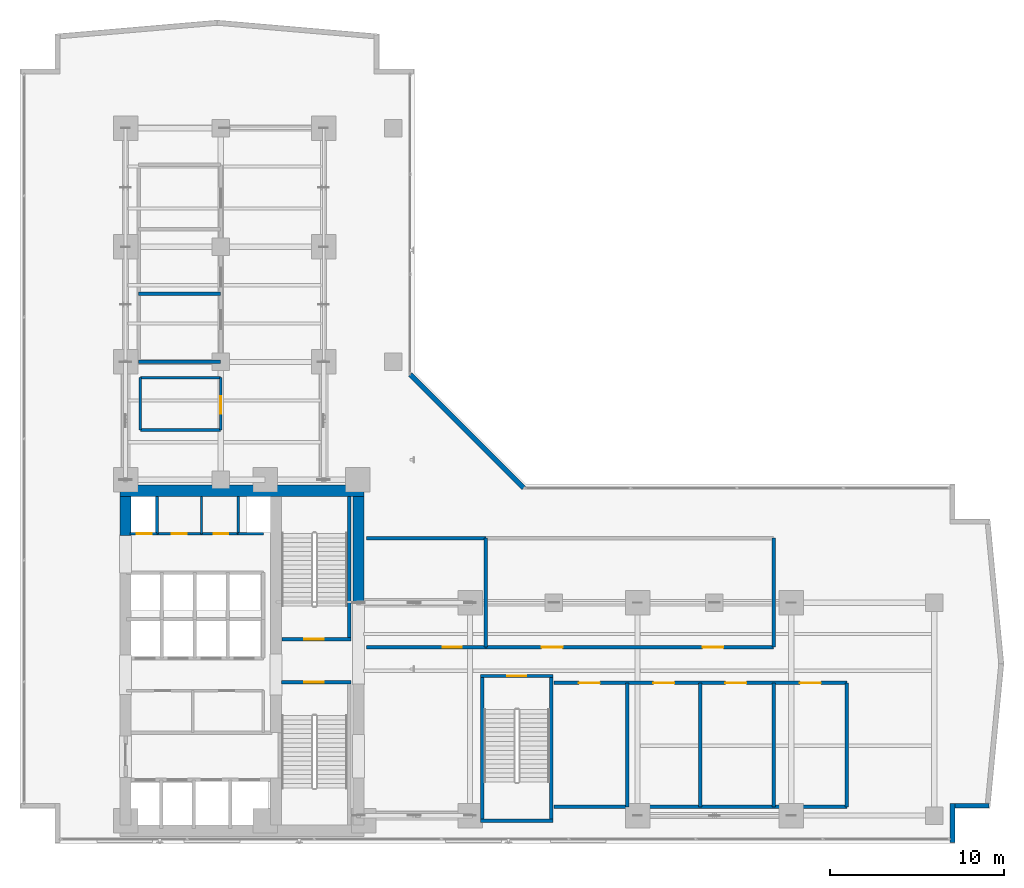
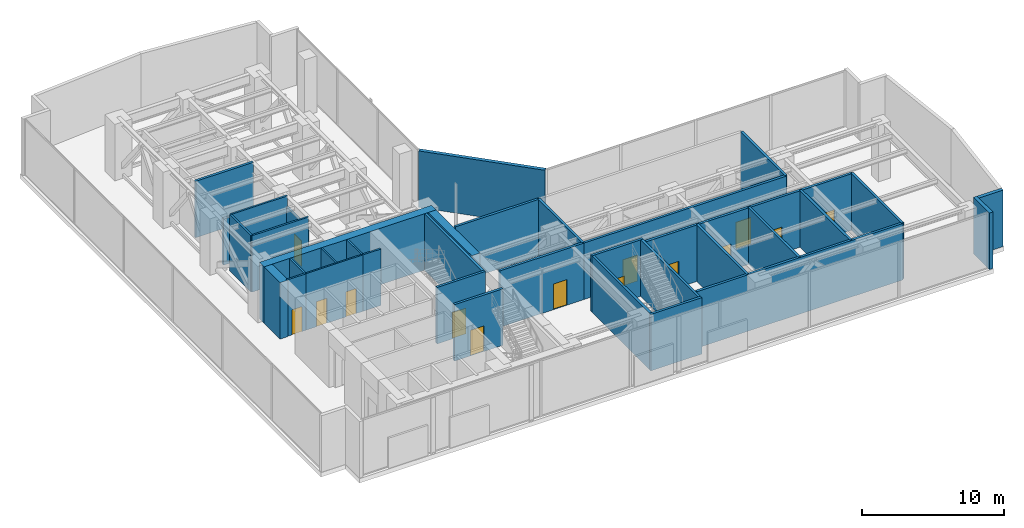
# One storey, part 32 of 37: 36 walls, 14 doors, 14 openings.
"""IFC4 building model written with IfcOpenShell, lengths in metres."""

from ifc_helpers import new_model, si_unit, direction, frame, frame_2d, origin, place, context, subcontext, project, spatial, rectangle, extrude, material, layer, layer_set, type_object, element, fill, save


model = new_model("IFC4")

# Units and contexts
model_context = context("Model", 3, precision=1e-05, world=origin(), true_north=direction((0.0, 1.0)))
body_context = subcontext(model_context, "Body", "Model", "MODEL_VIEW")
ifc_project = project(units=[si_unit("LENGTHUNIT", "METRE"), si_unit("AREAUNIT", "SQUARE_METRE"), si_unit("VOLUMEUNIT", "CUBIC_METRE"), si_unit("PLANEANGLEUNIT", "RADIAN"), si_unit("MASSUNIT", "GRAM", prefix="KILO")], contexts=[model_context])

# Site, building, storey
site_placement = place(None, origin())
site = spatial("IfcSite", under=ifc_project, at=site_placement, CompositionType="ELEMENT")
building_placement = place(site_placement, origin())
building = spatial("IfcBuilding", under=site, at=building_placement, Name="Kolvaren Waterfront Exchange", CompositionType="ELEMENT")
storey_placement = place(building_placement, frame((0.0, 0.0, 141.10009765625)))
storey = spatial("IfcBuildingStorey", under=building, at=storey_placement, Name="L36", CompositionType="ELEMENT", Elevation=141.10009765625)

# Walls
ifc_material_1 = material(Name="Precast concrete C40/50", Category="concrete")
ifc_layer_1 = layer(ifc_material_1, 0.280029296875, Name="Precast concrete C40/50")
ifc_layer_set_1 = layer_set([ifc_layer_1], Name="Precast concrete C40/50")
wall_type_1 = type_object("IfcWallType", Name="ARC-EXT-TERR-280", PredefinedType="SOLIDWALL", material=ifc_layer_set_1)
wall_1_placement = place(storey_placement, frame((54.840087890625, 3.659912109375, 0.0), z_axis=(0.0, 0.0, 1.0), x_axis=(0.0, 1.0, 0.0)))
element("IfcWall", 1, at=wall_1_placement, inside=storey, type_object=wall_type_1, Name="L36 notched corner spandrel pier SE-A", PredefinedType="SOLIDWALL", context=body_context, shape_type="SweptSolid", body=[
    extrude(rectangle(XDim=2.239990234375, YDim=0.280029296875, at=frame_2d((1.1201171875, 0.0))), origin(), (0.0, 0.0, 1.0), 4.85986328125),
])
wall_2_placement = place(storey_placement, frame((54.97998046875, 5.760009765625, 0.0), z_axis=(0.0, 0.0, 1.0), x_axis=(1.0, 0.0, 0.0)))
element("IfcWall", 2, at=wall_2_placement, inside=storey, type_object=wall_type_1, Name="L36 notched corner spandrel pier SE-B", PredefinedType="SOLIDWALL", context=body_context, shape_type="SweptSolid", body=[
    extrude(rectangle(XDim=1.9599609375, YDim=0.280029296875, at=frame_2d((0.97998046875, 0.0))), origin(), (0.0, 0.0, 1.0), 4.85986328125),
])
wall_3_placement = place(storey_placement, frame((30.284912109375, 23.97509765625, 0.0), z_axis=(0.0, 0.0, 1.0), x_axis=(-0.707106781187, 0.707106781187, 0.0)))
element("IfcWall", 3, at=wall_3_placement, inside=storey, type_object=wall_type_1, Name="L36 notched corner spandrel pier ELBOW", PredefinedType="SOLIDWALL", context=body_context, shape_type="SweptSolid", body=[
    extrude(rectangle(XDim=9.20654296875, YDim=0.280029296875, at=frame_2d((4.603271484375, 0.0))), origin(), (0.0, 0.0, 1.0), 4.85986328125),
])

# Wall, opening, door
ifc_layer_2 = layer(ifc_material_1, 0.199951171875, Name="Precast concrete C40/50")
ifc_layer_set_2 = layer_set([ifc_layer_2], Name="Precast concrete C40/50")
wall_type_2 = type_object("IfcWallType", Name="ARC-FIRE-200", PredefinedType="PARTITIONING", material=ifc_layer_set_2)
wall_4_placement = place(storey_placement, frame((16.39990234375, 12.85009765625, 0.0), z_axis=(0.0, 0.0, 1.0), x_axis=(1.0, 0.0, 0.0)))
wall_4 = element("IfcWall", 4, at=wall_4_placement, inside=storey, type_object=wall_type_2, Name="L36 interior wall PW-L36-ST1-THROAT-S", PredefinedType="PARTITIONING", context=body_context, shape_type="SweptSolid", body=[
    extrude(rectangle(XDim=3.960205078125, YDim=0.199951171875, at=frame_2d((1.97998046875, 0.0))), origin(), (0.0, 0.0, 1.0), 4.85986328125),
])
opening_1_placement = place(wall_4_placement, frame((1.3037109375, 0.0, 0.0)))
opening_1 = element("IfcOpeningElement", 5, at=opening_1_placement, cuts=wall_4, Name="Opening FD2", PredefinedType="OPENING", context=body_context, shape_type="SweptSolid", body=[
    extrude(rectangle(XDim=1.10009765625, YDim=2.199951171875, at=frame_2d((0.550048828125, 1.10009765625))), frame((0.0, 0.10986328125, 0.0), z_axis=(0.0, -1.0, 0.0), x_axis=(1.0, 0.0, 0.0)), (0.0, 0.0, 1.0), 0.219970703125),
])
ifc_material_2 = material(Name="Pressed steel smoke-seal fire door", Category="steel")
door_type_1 = type_object("IfcDoorType", Name="ARC-FD-1100", OperationType="NOTDEFINED", PredefinedType="DOOR", material=ifc_material_2)
door_1_placement = place(opening_1_placement, frame((1.10009765625, 0.0, 0.0), z_axis=(0.0, 0.0, 1.0), x_axis=(-1.0, 0.0, 0.0)))
door_1 = element("IfcDoor", 6, at=door_1_placement, inside=storey, type_object=door_type_1, Name="L36 door DR-L36-ST1-IN (FD2)", OperationType="SINGLE_SWING_LEFT", OverallHeight=2.199951171875, OverallWidth=1.10009765625, PredefinedType="DOOR", context=body_context, shape_type="SweptSolid", body=[
    extrude(rectangle(XDim=1.10009765625, YDim=2.199951171875, at=frame_2d((0.550048828125, 1.10009765625))), frame((0.0, 0.02490234375, 0.0), z_axis=(0.0, -1.0, 0.0), x_axis=(1.0, 0.0, 0.0)), (0.0, 0.0, 1.0), 0.050048828125),
])
fill(opening_1, door_1)

wall_5_placement = place(storey_placement, frame((16.409912109375, 15.300048828125, 0.0), z_axis=(0.0, 0.0, 1.0), x_axis=(1.0, 0.0, 0.0)))
wall_5 = element("IfcWall", 7, at=wall_5_placement, inside=storey, type_object=wall_type_2, Name="L36 interior wall PW-L36-ST2-THROAT-N", PredefinedType="PARTITIONING", context=body_context, shape_type="SweptSolid", body=[
    extrude(rectangle(XDim=3.9501953125, YDim=0.199951171875, at=frame_2d((1.97509765625, 0.0))), origin(), (0.0, 0.0, 1.0), 4.85986328125),
])
opening_2_placement = place(wall_5_placement, frame((1.293701171875, 0.0, 0.0)))
opening_2 = element("IfcOpeningElement", 8, at=opening_2_placement, cuts=wall_5, Name="Opening FD2", PredefinedType="OPENING", context=body_context, shape_type="SweptSolid", body=[
    extrude(rectangle(XDim=1.10009765625, YDim=2.199951171875, at=frame_2d((0.550048828125, 1.10009765625))), frame((0.0, 0.10986328125, 0.0), z_axis=(0.0, -1.0, 0.0), x_axis=(1.0, 0.0, 0.0)), (0.0, 0.0, 1.0), 0.219970703125),
])
door_2_placement = place(opening_2_placement, origin())
door_2 = element("IfcDoor", 9, at=door_2_placement, inside=storey, type_object=door_type_1, Name="L36 door DR-L36-ST2-IN (FD2)", OperationType="SINGLE_SWING_RIGHT", OverallHeight=2.199951171875, OverallWidth=1.10009765625, PredefinedType="DOOR", context=body_context, shape_type="SweptSolid", body=[
    extrude(rectangle(XDim=1.10009765625, YDim=2.199951171875, at=frame_2d((0.550048828125, 1.10009765625))), frame((0.0, 0.02490234375, 0.0), z_axis=(0.0, -1.0, 0.0), x_axis=(1.0, 0.0, 0.0)), (0.0, 0.0, 1.0), 0.050048828125),
])
fill(opening_2, door_2)

# Wall, openings, doors
wall_6_placement = place(storey_placement, frame((28.10009765625, 14.85009765625, 0.0), z_axis=(0.0, 0.0, 1.0), x_axis=(1.0, 0.0, 0.0)))
wall_6 = element("IfcWall", 10, at=wall_6_placement, inside=storey, type_object=wall_type_2, Name="L36 interior wall PW-L36-REF-S", PredefinedType="PARTITIONING", context=body_context, shape_type="SweptSolid", body=[
    extrude(rectangle(XDim=16.5, YDim=0.199951171875, at=frame_2d((8.25, 0.0))), origin(), (0.0, 0.0, 1.0), 4.85986328125),
])
opening_3_placement = place(wall_6_placement, frame((3.199951171875, 0.0, 0.0)))
opening_3 = element("IfcOpeningElement", 11, at=opening_3_placement, cuts=wall_6, Name="Opening FD3", PredefinedType="OPENING", context=body_context, shape_type="SweptSolid", body=[
    extrude(rectangle(XDim=1.199951171875, YDim=2.25, at=frame_2d((0.60009765625, 1.125))), frame((0.0, 0.10986328125, 0.0), z_axis=(0.0, -1.0, 0.0), x_axis=(1.0, 0.0, 0.0)), (0.0, 0.0, 1.0), 0.219970703125),
])
opening_4_placement = place(wall_6_placement, frame((12.421142578125, 0.0, 0.0)))
opening_4 = element("IfcOpeningElement", 12, at=opening_4_placement, cuts=wall_6, Name="Opening FD3", PredefinedType="OPENING", context=body_context, shape_type="SweptSolid", body=[
    extrude(rectangle(XDim=1.199951171875, YDim=2.25, at=frame_2d((0.60009765625, 1.125))), frame((0.0, 0.10986328125, 0.0), z_axis=(0.0, -1.0, 0.0), x_axis=(1.0, 0.0, 0.0)), (0.0, 0.0, 1.0), 0.219970703125),
])
ifc_material_3 = material(Name="Pressed steel fire door", Category="steel")
door_type_2 = type_object("IfcDoorType", Name="ARC-FD-1200", OperationType="NOTDEFINED", PredefinedType="DOOR", material=ifc_material_3)
door_3_placement = place(opening_3_placement, origin())
door_3 = element("IfcDoor", 13, at=door_3_placement, inside=storey, type_object=door_type_2, Name="L36 door DR-L36-REF-D1 (FD3)", OperationType="SINGLE_SWING_RIGHT", OverallHeight=2.25, OverallWidth=1.199951171875, PredefinedType="DOOR", context=body_context, shape_type="SweptSolid", body=[
    extrude(rectangle(XDim=1.199951171875, YDim=2.25, at=frame_2d((0.60009765625, 1.125))), frame((0.0, 0.02490234375, 0.0), z_axis=(0.0, -1.0, 0.0), x_axis=(1.0, 0.0, 0.0)), (0.0, 0.0, 1.0), 0.050048828125),
])
fill(opening_3, door_3)
door_4_placement = place(opening_4_placement, origin())
door_4 = element("IfcDoor", 14, at=door_4_placement, inside=storey, type_object=door_type_2, Name="L36 door DR-L36-REF-D2 (FD3)", OperationType="SINGLE_SWING_LEFT", OverallHeight=2.25, OverallWidth=1.199951171875, PredefinedType="DOOR", context=body_context, shape_type="SweptSolid", body=[
    extrude(rectangle(XDim=1.199951171875, YDim=2.25, at=frame_2d((0.60009765625, 1.125))), frame((0.0, 0.02490234375, 0.0), z_axis=(0.0, -1.0, 0.0), x_axis=(1.0, 0.0, 0.0)), (0.0, 0.0, 1.0), 0.050048828125),
])
fill(opening_4, door_4)

# Walls
for number, where, z_axis, x_axis, name in (
    (15, (28.10009765625, 14.85009765625, 0.0), (0.0, 0.0, 1.0), (0.0, 1.0, 0.0), "L36 interior wall PW-L36-REF-W"),
    (16, (44.60009765625, 14.85009765625, 0.0), (0.0, 0.0, 1.0), (0.0, 1.0, 0.0), "L36 interior wall PW-L36-REF-E"),
):
    element("IfcWall", number, at=place(storey_placement, frame(where, z_axis=z_axis, x_axis=x_axis)), inside=storey, type_object=wall_type_2, Name=name, PredefinedType="PARTITIONING", context=body_context, shape_type="SweptSolid", body=[
        extrude(rectangle(XDim=6.25, YDim=0.199951171875, at=frame_2d((3.125, 0.0))), origin(), (0.0, 0.0, 1.0), 4.85986328125),
    ])

# Wall, opening, door
wall_7_placement = place(storey_placement, frame((21.25, 14.85009765625, 0.0), z_axis=(0.0, 0.0, 1.0), x_axis=(1.0, 0.0, 0.0)))
wall_7 = element("IfcWall", 17, at=wall_7_placement, inside=storey, type_object=wall_type_2, Name="L36 interior wall PW-L36-OAPL-S", PredefinedType="PARTITIONING", context=body_context, shape_type="SweptSolid", body=[
    extrude(rectangle(XDim=6.85009765625, YDim=0.199951171875, at=frame_2d((3.425048828125, 0.0))), origin(), (0.0, 0.0, 1.0), 4.85986328125),
])
opening_5_placement = place(wall_7_placement, frame((4.372314453125, 0.0, 0.0)))
opening_5 = element("IfcOpeningElement", 18, at=opening_5_placement, cuts=wall_7, Name="Opening FD2", PredefinedType="OPENING", context=body_context, shape_type="SweptSolid", body=[
    extrude(rectangle(XDim=1.10009765625, YDim=2.199951171875, at=frame_2d((0.550048828125, 1.10009765625))), frame((0.0, 0.10986328125, 0.0), z_axis=(0.0, -1.0, 0.0), x_axis=(1.0, 0.0, 0.0)), (0.0, 0.0, 1.0), 0.219970703125),
])
door_5_placement = place(opening_5_placement, origin())
door_5 = element("IfcDoor", 19, at=door_5_placement, inside=storey, type_object=door_type_1, Name="L36 door DR-L36-OAPL1-D (FD2)", OperationType="SINGLE_SWING_RIGHT", OverallHeight=2.199951171875, OverallWidth=1.10009765625, PredefinedType="DOOR", context=body_context, shape_type="SweptSolid", body=[
    extrude(rectangle(XDim=1.10009765625, YDim=2.199951171875, at=frame_2d((0.550048828125, 1.10009765625))), frame((0.0, 0.02490234375, 0.0), z_axis=(0.0, -1.0, 0.0), x_axis=(1.0, 0.0, 0.0)), (0.0, 0.0, 1.0), 0.050048828125),
])
fill(opening_5, door_5)

# Wall
wall_8_placement = place(storey_placement, frame((21.25, 21.10009765625, 0.0), z_axis=(0.0, 0.0, 1.0), x_axis=(1.0, 0.0, 0.0)))
element("IfcWall", 20, at=wall_8_placement, inside=storey, type_object=wall_type_2, Name="L36 interior wall PW-L36-OAPL-N", PredefinedType="PARTITIONING", context=body_context, shape_type="SweptSolid", body=[
    extrude(rectangle(XDim=6.85009765625, YDim=0.199951171875, at=frame_2d((3.425048828125, 0.0))), origin(), (0.0, 0.0, 1.0), 4.85986328125),
])

# Wall, openings, doors
wall_9_placement = place(storey_placement, frame((32.0, 12.800048828125, 0.0), z_axis=(0.0, 0.0, 1.0), x_axis=(1.0, 0.0, 0.0)))
wall_9 = element("IfcWall", 21, at=wall_9_placement, inside=storey, type_object=wall_type_2, Name="L36 interior wall PW-L36-PL-N1", PredefinedType="PARTITIONING", context=body_context, shape_type="SweptSolid", body=[
    extrude(rectangle(XDim=16.800048828125, YDim=0.199951171875, at=frame_2d((8.39990234375, 0.0))), origin(), (0.0, 0.0, 1.0), 4.85986328125),
])
opening_6_placement = place(wall_9_placement, frame((1.429931640625, 0.0, 0.0)))
opening_6 = element("IfcOpeningElement", 22, at=opening_6_placement, cuts=wall_9, Name="Opening FD3", PredefinedType="OPENING", context=body_context, shape_type="SweptSolid", body=[
    extrude(rectangle(XDim=1.199951171875, YDim=2.25, at=frame_2d((0.60009765625, 1.125))), frame((0.0, 0.10986328125, 0.0), z_axis=(0.0, -1.0, 0.0), x_axis=(1.0, 0.0, 0.0)), (0.0, 0.0, 1.0), 0.219970703125),
])
opening_7_placement = place(wall_9_placement, frame((5.699951171875, 0.0, 0.0)))
opening_7 = element("IfcOpeningElement", 23, at=opening_7_placement, cuts=wall_9, Name="Opening FD3", PredefinedType="OPENING", context=body_context, shape_type="SweptSolid", body=[
    extrude(rectangle(XDim=1.199951171875, YDim=2.25, at=frame_2d((0.60009765625, 1.125))), frame((0.0, 0.10986328125, 0.0), z_axis=(0.0, -1.0, 0.0), x_axis=(1.0, 0.0, 0.0)), (0.0, 0.0, 1.0), 0.219970703125),
])
opening_8_placement = place(wall_9_placement, frame((9.830078125, 0.0, 0.0)))
opening_8 = element("IfcOpeningElement", 24, at=opening_8_placement, cuts=wall_9, Name="Opening FD3", PredefinedType="OPENING", context=body_context, shape_type="SweptSolid", body=[
    extrude(rectangle(XDim=1.199951171875, YDim=2.25, at=frame_2d((0.60009765625, 1.125))), frame((0.0, 0.10986328125, 0.0), z_axis=(0.0, -1.0, 0.0), x_axis=(1.0, 0.0, 0.0)), (0.0, 0.0, 1.0), 0.219970703125),
])
opening_9_placement = place(wall_9_placement, frame((14.10009765625, 0.0, 0.0)))
opening_9 = element("IfcOpeningElement", 25, at=opening_9_placement, cuts=wall_9, Name="Opening FD3", PredefinedType="OPENING", context=body_context, shape_type="SweptSolid", body=[
    extrude(rectangle(XDim=1.199951171875, YDim=2.25, at=frame_2d((0.60009765625, 1.125))), frame((0.0, 0.10986328125, 0.0), z_axis=(0.0, -1.0, 0.0), x_axis=(1.0, 0.0, 0.0)), (0.0, 0.0, 1.0), 0.219970703125),
])
door_6_placement = place(opening_6_placement, origin())
door_6 = element("IfcDoor", 26, at=door_6_placement, inside=storey, type_object=door_type_2, Name="L36 door DR-L36-PLES-D1 (FD3)", OperationType="SINGLE_SWING_RIGHT", OverallHeight=2.25, OverallWidth=1.199951171875, PredefinedType="DOOR", context=body_context, shape_type="SweptSolid", body=[
    extrude(rectangle(XDim=1.199951171875, YDim=2.25, at=frame_2d((0.60009765625, 1.125))), frame((0.0, 0.02490234375, 0.0), z_axis=(0.0, -1.0, 0.0), x_axis=(1.0, 0.0, 0.0)), (0.0, 0.0, 1.0), 0.050048828125),
])
fill(opening_6, door_6)
door_7_placement = place(opening_7_placement, origin())
door_7 = element("IfcDoor", 27, at=door_7_placement, inside=storey, type_object=door_type_2, Name="L36 door DR-L36-PLES-D2 (FD3)", OperationType="SINGLE_SWING_LEFT", OverallHeight=2.25, OverallWidth=1.199951171875, PredefinedType="DOOR", context=body_context, shape_type="SweptSolid", body=[
    extrude(rectangle(XDim=1.199951171875, YDim=2.25, at=frame_2d((0.60009765625, 1.125))), frame((0.0, 0.02490234375, 0.0), z_axis=(0.0, -1.0, 0.0), x_axis=(1.0, 0.0, 0.0)), (0.0, 0.0, 1.0), 0.050048828125),
])
fill(opening_7, door_7)
door_8_placement = place(opening_8_placement, origin())
door_8 = element("IfcDoor", 28, at=door_8_placement, inside=storey, type_object=door_type_2, Name="L36 door DR-L36-PLES-D3 (FD3)", OperationType="SINGLE_SWING_RIGHT", OverallHeight=2.25, OverallWidth=1.199951171875, PredefinedType="DOOR", context=body_context, shape_type="SweptSolid", body=[
    extrude(rectangle(XDim=1.199951171875, YDim=2.25, at=frame_2d((0.60009765625, 1.125))), frame((0.0, 0.02490234375, 0.0), z_axis=(0.0, -1.0, 0.0), x_axis=(1.0, 0.0, 0.0)), (0.0, 0.0, 1.0), 0.050048828125),
])
fill(opening_8, door_8)
door_9_placement = place(opening_9_placement, origin())
door_9 = element("IfcDoor", 29, at=door_9_placement, inside=storey, type_object=door_type_2, Name="L36 door DR-L36-PLES-D4 (FD3)", OperationType="SINGLE_SWING_LEFT", OverallHeight=2.25, OverallWidth=1.199951171875, PredefinedType="DOOR", context=body_context, shape_type="SweptSolid", body=[
    extrude(rectangle(XDim=1.199951171875, YDim=2.25, at=frame_2d((0.60009765625, 1.125))), frame((0.0, 0.02490234375, 0.0), z_axis=(0.0, -1.0, 0.0), x_axis=(1.0, 0.0, 0.0)), (0.0, 0.0, 1.0), 0.050048828125),
])
fill(opening_9, door_9)

# Walls
wall_10_placement = place(storey_placement, frame((48.800048828125, 5.699951171875, 0.0), z_axis=(0.0, 0.0, 1.0), x_axis=(0.0, 1.0, 0.0)))
element("IfcWall", 30, at=wall_10_placement, inside=storey, type_object=wall_type_2, Name="L36 interior wall PW-L36-PL-E1", PredefinedType="PARTITIONING", context=body_context, shape_type="SweptSolid", body=[
    extrude(rectangle(XDim=7.10009765625, YDim=0.199951171875, at=frame_2d((3.550048828125, 0.0))), origin(), (0.0, 0.0, 1.0), 4.85986328125),
])
wall_11_placement = place(storey_placement, frame((32.0, 5.699951171875, 0.0), z_axis=(0.0, 0.0, 1.0), x_axis=(1.0, 0.0, 0.0)))
element("IfcWall", 31, at=wall_11_placement, inside=storey, type_object=wall_type_2, Name="L36 interior wall PW-L36-PL-S1", PredefinedType="PARTITIONING", context=body_context, shape_type="SweptSolid", body=[
    extrude(rectangle(XDim=16.800048828125, YDim=0.199951171875, at=frame_2d((8.39990234375, 0.0))), origin(), (0.0, 0.0, 1.0), 4.85986328125),
])
for number, where, z_axis, x_axis, name in (
    (32, (36.199951171875, 5.699951171875, 0.0), (0.0, 0.0, 1.0), (0.0, 1.0, 0.0), "L36 interior wall PW-L36-PL-M1-1"),
    (33, (40.39990234375, 5.699951171875, 0.0), (0.0, 0.0, 1.0), (0.0, 1.0, 0.0), "L36 interior wall PW-L36-PL-M1-2"),
    (34, (44.60009765625, 5.699951171875, 0.0), (0.0, 0.0, 1.0), (0.0, 1.0, 0.0), "L36 interior wall PW-L36-PL-M1-3"),
):
    element("IfcWall", number, at=place(storey_placement, frame(where, z_axis=z_axis, x_axis=x_axis)), inside=storey, type_object=wall_type_2, Name=name, PredefinedType="PARTITIONING", context=body_context, shape_type="SweptSolid", body=[
        extrude(rectangle(XDim=7.10009765625, YDim=0.199951171875, at=frame_2d((3.550048828125, 0.0))), origin(), (0.0, 0.0, 1.0), 4.85986328125),
    ])
wall_12_placement = place(storey_placement, frame((8.199951171875, 31.199951171875, 0.0), z_axis=(0.0, 0.0, 1.0), x_axis=(1.0, 0.0, 0.0)))
element("IfcWall", 35, at=wall_12_placement, inside=storey, type_object=wall_type_2, Name="L36 interior wall PW-L36-PL-S3", PredefinedType="PARTITIONING", context=body_context, shape_type="SweptSolid", body=[
    extrude(rectangle(XDim=4.699951171875, YDim=0.199951171875, at=frame_2d((2.35009765625, 0.0))), origin(), (0.0, 0.0, 1.0), 3.9599609375),
])
wall_13_placement = place(storey_placement, frame((8.199951171875, 35.10009765625, 0.0), z_axis=(0.0, 0.0, 1.0), x_axis=(1.0, 0.0, 0.0)))
element("IfcWall", 36, at=wall_13_placement, inside=storey, type_object=wall_type_2, Name="L36 interior wall PW-L36-PL-M3-1", PredefinedType="PARTITIONING", context=body_context, shape_type="SweptSolid", body=[
    extrude(rectangle(XDim=4.699951171875, YDim=0.199951171875, at=frame_2d((2.35009765625, 0.0))), origin(), (0.0, 0.0, 1.0), 4.85986328125),
])

# Wall, openings, doors
ifc_material_4 = material(Name="Acoustic gypsum steel stud", Category="steel")
ifc_layer_3 = layer(ifc_material_4, 0.125, Name="Acoustic gypsum steel stud")
ifc_layer_set_3 = layer_set([ifc_layer_3], Name="Acoustic gypsum steel stud")
wall_type_3 = type_object("IfcWallType", Name="ARC-PART-125", PredefinedType="PARTITIONING", material=ifc_layer_set_3)
wall_14_placement = place(storey_placement, frame((9.25, 21.35009765625, 0.0), z_axis=(0.0, 0.0, 1.0), x_axis=(1.0, 0.0, 0.0)))
wall_14 = element("IfcWall", 37, at=wall_14_placement, inside=storey, type_object=wall_type_3, Name="L36 interior wall PW-L36-SVC-EX-S", PredefinedType="PARTITIONING", context=body_context, shape_type="SweptSolid", body=[
    extrude(rectangle(XDim=4.64990234375, YDim=0.125, at=frame_2d((2.324951171875, 0.0))), origin(), (0.0, 0.0, 1.0), 4.85986328125),
])
opening_10_placement = place(wall_14_placement, frame((0.85009765625, 0.0, 0.0)))
opening_10 = element("IfcOpeningElement", 38, at=opening_10_placement, cuts=wall_14, Name="Opening D01", PredefinedType="OPENING", context=body_context, shape_type="SweptSolid", body=[
    extrude(rectangle(XDim=0.85009765625, YDim=2.14990234375, at=frame_2d((0.425048828125, 1.074951171875))), frame((0.0, 0.072509765625, 0.0), z_axis=(0.0, -1.0, 0.0), x_axis=(1.0, 0.0, 0.0)), (0.0, 0.0, 1.0), 0.14501953125),
])
opening_11_placement = place(wall_14_placement, frame((3.25, 0.0, 0.0)))
opening_11 = element("IfcOpeningElement", 39, at=opening_11_placement, cuts=wall_14, Name="Opening D01", PredefinedType="OPENING", context=body_context, shape_type="SweptSolid", body=[
    extrude(rectangle(XDim=0.85009765625, YDim=2.14990234375, at=frame_2d((0.425048828125, 1.074951171875))), frame((0.0, 0.072509765625, 0.0), z_axis=(0.0, -1.0, 0.0), x_axis=(1.0, 0.0, 0.0)), (0.0, 0.0, 1.0), 0.14501953125),
])
ifc_material_5 = material(Name="Oak veneer timber leaf", Category="wood")
door_type_3 = type_object("IfcDoorType", Name="ARC-DR-900", OperationType="NOTDEFINED", PredefinedType="DOOR", material=ifc_material_5)
door_10_placement = place(opening_10_placement, origin())
door_10 = element("IfcDoor", 40, at=door_10_placement, inside=storey, type_object=door_type_3, Name="L36 door DR-L36-SVC-DR-1 (D01)", OperationType="SINGLE_SWING_RIGHT", OverallHeight=2.14990234375, OverallWidth=0.85009765625, PredefinedType="DOOR", context=body_context, shape_type="SweptSolid", body=[
    extrude(rectangle(XDim=0.85009765625, YDim=2.14990234375, at=frame_2d((0.425048828125, 1.074951171875))), frame((0.0, 0.02490234375, 0.0), z_axis=(0.0, -1.0, 0.0), x_axis=(1.0, 0.0, 0.0)), (0.0, 0.0, 1.0), 0.050048828125),
])
fill(opening_10, door_10)
door_11_placement = place(opening_11_placement, origin())
door_11 = element("IfcDoor", 41, at=door_11_placement, inside=storey, type_object=door_type_3, Name="L36 door DR-L36-SVC-DR-2 (D01)", OperationType="SINGLE_SWING_LEFT", OverallHeight=2.14990234375, OverallWidth=0.85009765625, PredefinedType="DOOR", context=body_context, shape_type="SweptSolid", body=[
    extrude(rectangle(XDim=0.85009765625, YDim=2.14990234375, at=frame_2d((0.425048828125, 1.074951171875))), frame((0.0, 0.02490234375, 0.0), z_axis=(0.0, -1.0, 0.0), x_axis=(1.0, 0.0, 0.0)), (0.0, 0.0, 1.0), 0.050048828125),
])
fill(opening_11, door_11)

# Walls
wall_15_placement = place(storey_placement, frame((11.800048828125, 21.35009765625, 0.0), z_axis=(0.0, 0.0, 1.0), x_axis=(0.0, 1.0, 0.0)))
element("IfcWall", 42, at=wall_15_placement, inside=storey, type_object=wall_type_3, Name="L36 interior wall PW-L36-SVC-PL-M", PredefinedType="PARTITIONING", context=body_context, shape_type="SweptSolid", body=[
    extrude(rectangle(XDim=2.1298828125, YDim=0.125, at=frame_2d((1.06494140625, 0.0))), origin(), (0.0, 0.0, 1.0), 4.85986328125),
])
ifc_material_6 = material(Name="Gypsum fireboard steel stud", Category="steel")
ifc_layer_4 = layer(ifc_material_6, 0.14990234375, Name="Gypsum fireboard steel stud")
ifc_layer_set_4 = layer_set([ifc_layer_4], Name="Gypsum fireboard steel stud")
wall_type_4 = type_object("IfcWallType", Name="ARC-PART-150", PredefinedType="PARTITIONING", material=ifc_layer_set_4)
for number, where, z_axis, x_axis, name in (
    (43, (9.25, 21.35009765625, 0.0), (0.0, 0.0, 1.0), (0.0, 1.0, 0.0), "L36 interior wall PW-L36-SVC-R1"),
    (44, (13.89990234375, 21.35009765625, 0.0), (0.0, 0.0, 1.0), (0.0, 1.0, 0.0), "L36 interior wall PW-L36-SVC-R2"),
):
    element("IfcWall", number, at=place(storey_placement, frame(where, z_axis=z_axis, x_axis=x_axis)), inside=storey, type_object=wall_type_4, Name=name, PredefinedType="PARTITIONING", context=body_context, shape_type="SweptSolid", body=[
        extrude(rectangle(XDim=2.1298828125, YDim=0.14990234375, at=frame_2d((1.06494140625, 0.0))), origin(), (0.0, 0.0, 1.0), 4.85986328125),
    ])

# Wall, opening, door
wall_16_placement = place(storey_placement, frame((7.699951171875, 21.35009765625, 0.0), z_axis=(0.0, 0.0, 1.0), x_axis=(1.0, 0.0, 0.0)))
wall_16 = element("IfcWall", 45, at=wall_16_placement, inside=storey, type_object=wall_type_4, Name="L36 interior wall PW-L36-SVC-RE-S", PredefinedType="PARTITIONING", context=body_context, shape_type="SweptSolid", body=[
    extrude(rectangle(XDim=1.550048828125, YDim=0.14990234375, at=frame_2d((0.77490234375, 0.0))), origin(), (0.0, 0.0, 1.0), 4.85986328125),
])
opening_12_placement = place(wall_16_placement, frame((0.389892578125, 0.0, 0.0)))
opening_12 = element("IfcOpeningElement", 46, at=opening_12_placement, cuts=wall_16, Name="Opening FD1", PredefinedType="OPENING", context=body_context, shape_type="SweptSolid", body=[
    extrude(rectangle(XDim=0.85009765625, YDim=2.14990234375, at=frame_2d((0.425048828125, 1.074951171875))), frame((0.0, 0.0849609375, 0.0), z_axis=(0.0, -1.0, 0.0), x_axis=(1.0, 0.0, 0.0)), (0.0, 0.0, 1.0), 0.169921875),
])
ifc_material_7 = material(Name="Pressed steel fire leaf", Category="steel")
door_type_4 = type_object("IfcDoorType", Name="ARC-FD-900", OperationType="NOTDEFINED", PredefinedType="DOOR", material=ifc_material_7)
door_12_placement = place(opening_12_placement, origin())
door_12 = element("IfcDoor", 47, at=door_12_placement, inside=storey, type_object=door_type_4, Name="L36 door DR-L36-RISER-E-DR (FD1)", OperationType="SINGLE_SWING_LEFT", OverallHeight=2.14990234375, OverallWidth=0.85009765625, PredefinedType="DOOR", context=body_context, shape_type="SweptSolid", body=[
    extrude(rectangle(XDim=0.85009765625, YDim=2.14990234375, at=frame_2d((0.425048828125, 1.074951171875))), frame((0.0, 0.02490234375, 0.0), z_axis=(0.0, -1.0, 0.0), x_axis=(1.0, 0.0, 0.0)), (0.0, 0.0, 1.0), 0.050048828125),
])
fill(opening_12, door_12)

# Walls
wall_17_placement = place(storey_placement, frame((13.89990234375, 21.35009765625, 0.0), z_axis=(0.0, 0.0, 1.0), x_axis=(1.0, 0.0, 0.0)))
element("IfcWall", 48, at=wall_17_placement, inside=storey, type_object=wall_type_4, Name="L36 interior wall PW-L36-SVC-RP-S", PredefinedType="PARTITIONING", context=body_context, shape_type="SweptSolid", body=[
    extrude(rectangle(XDim=1.4501953125, YDim=0.14990234375, at=frame_2d((0.72509765625, 0.0))), origin(), (0.0, 0.0, 1.0), 4.85986328125),
])
ifc_material_8 = material(Name="Moisture-resistant gypsum stud")
ifc_layer_5 = layer(ifc_material_8, 0.14990234375, Name="Moisture-resistant gypsum stud")
ifc_layer_set_5 = layer_set([ifc_layer_5], Name="Moisture-resistant gypsum stud")
wall_type_5 = type_object("IfcWallType", Name="ARC-PLUMB-150", PredefinedType="PLUMBINGWALL", material=ifc_layer_set_5)
wall_18_placement = place(storey_placement, frame((8.300048828125, 27.300048828125, 0.0), z_axis=(0.0, 0.0, 1.0), x_axis=(1.0, 0.0, 0.0)))
element("IfcWall", 49, at=wall_18_placement, inside=storey, type_object=wall_type_5, Name="L36 interior wall PW-L36-REF-WC-S", PredefinedType="PLUMBINGWALL", context=body_context, shape_type="SweptSolid", body=[
    extrude(rectangle(XDim=4.599853515625, YDim=0.14990234375, at=frame_2d((2.2998046875, 0.0))), origin(), (0.0, 0.0, 1.0), 4.85986328125),
])
wall_19_placement = place(storey_placement, frame((8.300048828125, 27.300048828125, 0.0), z_axis=(0.0, 0.0, 1.0), x_axis=(0.0, 1.0, 0.0)))
element("IfcWall", 50, at=wall_19_placement, inside=storey, type_object=wall_type_5, Name="L36 interior wall PW-L36-REF-WC-W", PredefinedType="PLUMBINGWALL", context=body_context, shape_type="SweptSolid", body=[
    extrude(rectangle(XDim=3.0, YDim=0.14990234375, at=frame_2d((1.5, 0.0))), origin(), (0.0, 0.0, 1.0), 4.85986328125),
])

# Wall, opening, door
wall_20_placement = place(storey_placement, frame((12.89990234375, 27.300048828125, 0.0), z_axis=(0.0, 0.0, 1.0), x_axis=(0.0, 1.0, 0.0)))
wall_20 = element("IfcWall", 51, at=wall_20_placement, inside=storey, type_object=wall_type_5, Name="L36 interior wall PW-L36-REF-WC-E", PredefinedType="PLUMBINGWALL", context=body_context, shape_type="SweptSolid", body=[
    extrude(rectangle(XDim=3.0, YDim=0.14990234375, at=frame_2d((1.5, 0.0))), origin(), (0.0, 0.0, 1.0), 3.9599609375),
])
opening_13_placement = place(wall_20_placement, frame((0.929931640625, 0.0, 0.0)))
opening_13 = element("IfcOpeningElement", 52, at=opening_13_placement, cuts=wall_20, Name="Opening D03", PredefinedType="OPENING", context=body_context, shape_type="SweptSolid", body=[
    extrude(rectangle(XDim=1.0, YDim=2.199951171875, at=frame_2d((0.5, 1.10009765625))), frame((0.0, 0.0849609375, 0.0), z_axis=(0.0, -1.0, 0.0), x_axis=(1.0, 0.0, 0.0)), (0.0, 0.0, 1.0), 0.169921875),
])
ifc_material_9 = material(Name="Oak veneer accessible timber", Category="wood")
door_type_5 = type_object("IfcDoorType", Name="ARC-DR-1000", OperationType="NOTDEFINED", PredefinedType="DOOR", material=ifc_material_9)
door_13_placement = place(opening_13_placement, origin())
door_13 = element("IfcDoor", 53, at=door_13_placement, inside=storey, type_object=door_type_5, Name="L36 door DR-L36-REF-WCD (D03)", OperationType="SINGLE_SWING_LEFT", OverallHeight=2.199951171875, OverallWidth=1.0, PredefinedType="DOOR", context=body_context, shape_type="SweptSolid", body=[
    extrude(rectangle(XDim=1.0, YDim=2.199951171875, at=frame_2d((0.5, 1.10009765625))), frame((0.0, 0.02490234375, 0.0), z_axis=(0.0, -1.0, 0.0), x_axis=(1.0, 0.0, 0.0)), (0.0, 0.0, 1.0), 0.050048828125),
])
fill(opening_13, door_13)

# Walls
wall_21_placement = place(storey_placement, frame((8.300048828125, 30.300048828125, 0.0), z_axis=(0.0, 0.0, 1.0), x_axis=(1.0, 0.0, 0.0)))
element("IfcWall", 54, at=wall_21_placement, inside=storey, type_object=wall_type_5, Name="L36 interior wall PW-L36-REF-WC-N", PredefinedType="PLUMBINGWALL", context=body_context, shape_type="SweptSolid", body=[
    extrude(rectangle(XDim=4.599853515625, YDim=0.14990234375, at=frame_2d((2.2998046875, 0.0))), origin(), (0.0, 0.0, 1.0), 4.85986328125),
])
ifc_material_10 = material(Name="Concrete C40/50", Category="concrete")
ifc_layer_6 = layer(ifc_material_10, 0.199951171875, Name="Concrete C40/50")
ifc_layer_set_6 = layer_set([ifc_layer_6], Name="Concrete C40/50")
wall_type_6 = type_object("IfcWallType", Name="ARC-SHAFT-200", PredefinedType="PARTITIONING", material=ifc_layer_set_6)
wall_22_placement = place(storey_placement, frame((20.260009765625, 15.39990234375, 0.0), z_axis=(0.0, 0.0, 1.0), x_axis=(0.0, 1.0, 0.0)))
element("IfcWall", 55, at=wall_22_placement, inside=storey, type_object=wall_type_6, Name="L36 structural stairwell wall PW-L36-ST2-E", PredefinedType="SHEAR", context=body_context, shape_type="SweptSolid", body=[
    extrude(rectangle(XDim=8.090087890625, YDim=0.199951171875, at=frame_2d((4.044921875, 0.0))), origin(), (0.0, 0.0, 1.0), 4.85986328125),
])
for number, where, z_axis, x_axis, name in (
    (56, (27.89990234375, 5.0, 0.0), (0.0, 0.0, 1.0), (0.0, 1.0, 0.0), "L36 structural stairwell wall PW-L36-ST3-W"),
    (57, (31.860107421875, 5.0, 0.0), (0.0, 0.0, 1.0), (0.0, 1.0, 0.0), "L36 structural stairwell wall PW-L36-ST3-E"),
):
    element("IfcWall", number, at=place(storey_placement, frame(where, z_axis=z_axis, x_axis=x_axis)), inside=storey, type_object=wall_type_6, Name=name, PredefinedType="SHEAR", context=body_context, shape_type="SweptSolid", body=[
        extrude(rectangle(XDim=8.10009765625, YDim=0.199951171875, at=frame_2d((4.050048828125, 0.0))), origin(), (0.0, 0.0, 1.0), 4.85986328125),
    ])
wall_23_placement = place(storey_placement, frame((27.800048828125, 4.89990234375, 0.0), z_axis=(0.0, 0.0, 1.0), x_axis=(1.0, 0.0, 0.0)))
element("IfcWall", 58, at=wall_23_placement, inside=storey, type_object=wall_type_6, Name="L36 structural stairwell wall PW-L36-ST3-S", PredefinedType="SHEAR", context=body_context, shape_type="SweptSolid", body=[
    extrude(rectangle(XDim=4.159912109375, YDim=0.199951171875, at=frame_2d((2.080078125, 0.0))), origin(), (0.0, 0.0, 1.0), 4.85986328125),
])

# Wall, opening, door
wall_24_placement = place(storey_placement, frame((27.800048828125, 13.199951171875, 0.0), z_axis=(0.0, 0.0, 1.0), x_axis=(1.0, 0.0, 0.0)))
wall_24 = element("IfcWall", 59, at=wall_24_placement, inside=storey, type_object=wall_type_6, Name="L36 structural stairwell wall PW-L36-ST3-N", PredefinedType="SHEAR", context=body_context, shape_type="SweptSolid", body=[
    extrude(rectangle(XDim=4.159912109375, YDim=0.199951171875, at=frame_2d((2.080078125, 0.0))), origin(), (0.0, 0.0, 1.0), 4.85986328125),
])
opening_14_placement = place(wall_24_placement, frame((1.530029296875, 0.0, 0.0)))
opening_14 = element("IfcOpeningElement", 60, at=opening_14_placement, cuts=wall_24, Name="Opening FD2", PredefinedType="OPENING", context=body_context, shape_type="SweptSolid", body=[
    extrude(rectangle(XDim=1.10009765625, YDim=2.199951171875, at=frame_2d((0.550048828125, 1.10009765625))), frame((0.0, 0.10986328125, 0.0), z_axis=(0.0, -1.0, 0.0), x_axis=(1.0, 0.0, 0.0)), (0.0, 0.0, 1.0), 0.219970703125),
])
door_14_placement = place(opening_14_placement, frame((1.10009765625, 0.0, 0.0), z_axis=(0.0, 0.0, 1.0), x_axis=(-1.0, 0.0, 0.0)))
door_14 = element("IfcDoor", 61, at=door_14_placement, inside=storey, type_object=door_type_1, Name="L36 door DR-L36-ST3-IN (FD2)", OperationType="SINGLE_SWING_LEFT", OverallHeight=2.199951171875, OverallWidth=1.10009765625, PredefinedType="DOOR", context=body_context, shape_type="SweptSolid", body=[
    extrude(rectangle(XDim=1.10009765625, YDim=2.199951171875, at=frame_2d((0.550048828125, 1.10009765625))), frame((0.0, 0.02490234375, 0.0), z_axis=(0.0, -1.0, 0.0), x_axis=(1.0, 0.0, 0.0)), (0.0, 0.0, 1.0), 0.050048828125),
])
fill(opening_14, door_14)

# Walls
ifc_material_11 = material(Name="Concrete C60/75", Category="concrete")
ifc_layer_7 = layer(ifc_material_11, 0.64990234375, Name="Concrete C60/75")
ifc_layer_set_7 = layer_set([ifc_layer_7], Name="Concrete C60/75")
wall_type_7 = type_object("IfcWallType", Name="STR-CWALL-650", PredefinedType="SHEAR", material=ifc_layer_set_7)
wall_25_placement = place(storey_placement, frame((7.125, 23.824951171875, 0.0), z_axis=(0.0, 0.0, 1.0), x_axis=(1.0, 0.0, 0.0)))
element("IfcWall", 62, at=wall_25_placement, inside=storey, type_object=wall_type_7, Name="L36 rear-core shear wall N", PredefinedType="SHEAR", context=body_context, shape_type="SweptSolid", body=[
    extrude(rectangle(XDim=14.0, YDim=0.64990234375, at=frame_2d((7.0, 0.0))), origin(), (0.0, 0.0, 1.0), 4.85986328125),
])
wall_26_placement = place(storey_placement, frame((7.449951171875, 21.239990234375, 0.0), z_axis=(0.0, 0.0, 1.0), x_axis=(0.0, 1.0, 0.0)))
element("IfcWall", 63, at=wall_26_placement, inside=storey, type_object=wall_type_7, Name="L36 rear-core shear wall W3", PredefinedType="SHEAR", context=body_context, shape_type="SweptSolid", body=[
    extrude(rectangle(XDim=2.260009765625, YDim=0.64990234375, at=frame_2d((1.1298828125, 0.0))), origin(), (0.0, 0.0, 1.0), 4.85986328125),
])
wall_27_placement = place(storey_placement, frame((20.800048828125, 17.35009765625, 0.0), z_axis=(0.0, 0.0, 1.0), x_axis=(0.0, 1.0, 0.0)))
element("IfcWall", 64, at=wall_27_placement, inside=storey, type_object=wall_type_7, Name="L36 rear-core shear wall E3", PredefinedType="SHEAR", context=body_context, shape_type="SweptSolid", body=[
    extrude(rectangle(XDim=6.14990234375, YDim=0.64990234375, at=frame_2d((3.074951171875, 0.0))), origin(), (0.0, 0.0, 1.0), 4.85986328125),
])

save(model, "model.ifc")
